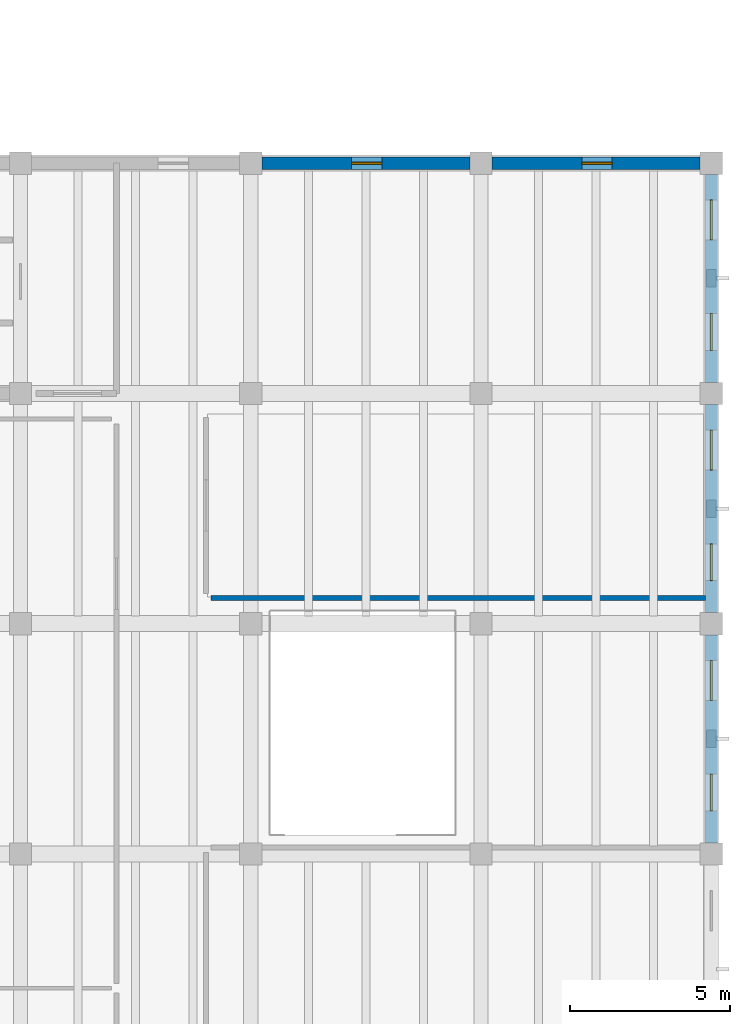
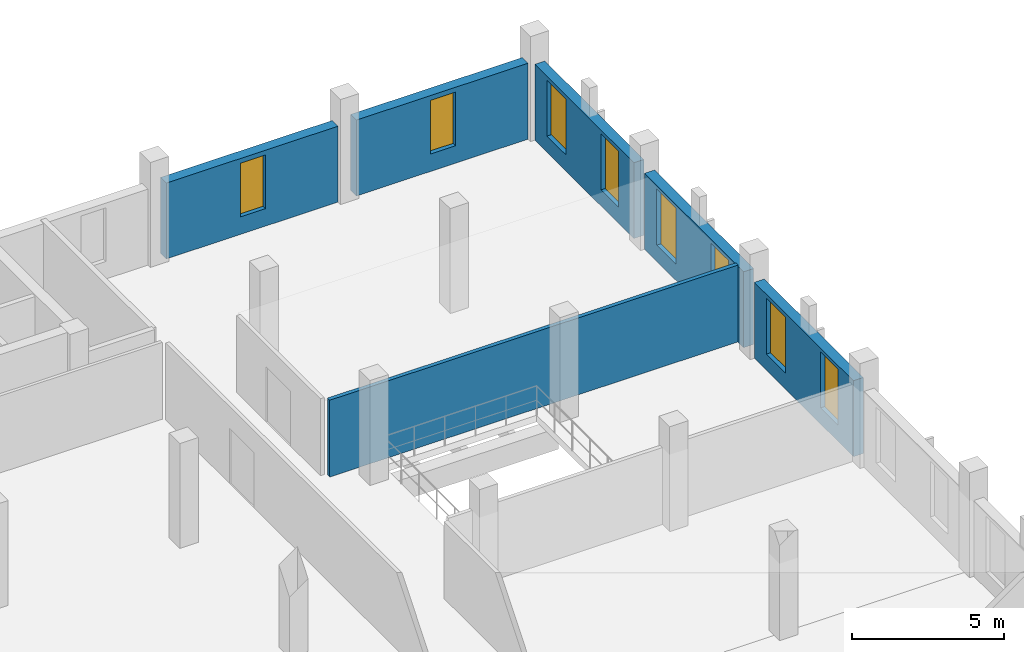
# One storey, part 65 of 72: 8 windows, 6 walls, 8 openings.
"""IFC4 building model written with IfcOpenShell, lengths in metres."""

import ifcopenshell
import ifcopenshell.guid

model = None  # the IFC model being written
_history = None  # IfcOwnerHistory: only IFC2X3 demands one
_inside = {}  # id of a spatial element -> (the spatial element, [elements in it])
_under = {}  # id of a project, library or spatial element -> (it, [spatial elements below it])
_declared = {}  # id of a project -> (the project, [libraries it declares])
_typed = {}  # id of a type object -> (the type object, [elements of that type])
_made_of = {}  # id of a material, layer set ... -> (it, [elements and type objects made of it])


def new_model(schema):
    """Start an empty IFC model of exactly this schema.

    Asked for "IFC4X3", IfcOpenShell would pick the latest addendum, in which some entities
    have other attributes; the version numbers below select the first issue.
    IFC2X3 requires an IfcOwnerHistory on every rooted entity: one is made here for all.
    """
    global model, _history
    if schema == "IFC4X3":
        model = ifcopenshell.file(schema_version=(4, 3, 0, 0))
    else:
        model = ifcopenshell.file(schema=schema)
    _inside.clear()
    _under.clear()
    _declared.clear()
    _typed.clear()
    _made_of.clear()
    _history = None
    if model.schema == "IFC2X3":
        org = make("IfcOrganization", Name="unknown")
        user = make(
            "IfcPersonAndOrganization",
            ThePerson=make("IfcPerson", FamilyName="unknown"),
            TheOrganization=org,
        )
        app = make(
            "IfcApplication",
            ApplicationDeveloper=org,
            Version="unknown",
            ApplicationFullName="unknown",
            ApplicationIdentifier="unknown",
        )
        _history = make(
            "IfcOwnerHistory",
            OwningUser=user,
            OwningApplication=app,
            ChangeAction="ADDED",
            CreationDate=0,
        )
    return model


def make(cls, **values):
    """One entity of the class cls with the attributes given. An attribute that is None is left unset."""
    return model.create_entity(
        cls, **{name: value for name, value in values.items() if value is not None}
    )


def rooted(cls, **values):
    """An entity with a GlobalId (a new one), such as an element, a storey or a relation."""
    return make(cls, GlobalId=ifcopenshell.guid.new(), OwnerHistory=_history, **values)


def si_unit(unit_type, name, prefix=None):
    """IfcSIUnit, for example si_unit("LENGTHUNIT", "METRE", prefix="MILLI")."""
    return make("IfcSIUnit", UnitType=unit_type, Prefix=prefix, Name=name)


def assignment(units):
    """IfcUnitAssignment: the units of a project."""
    return None if units is None else make("IfcUnitAssignment", Units=units)


def point(xyz):
    """IfcCartesianPoint."""
    return None if xyz is None else make("IfcCartesianPoint", Coordinates=xyz)


def direction(xyz):
    """IfcDirection."""
    return None if xyz is None else make("IfcDirection", DirectionRatios=xyz)


def frame(location, z_axis=None, x_axis=None):
    """IfcAxis2Placement3D, a coordinate frame: its origin and axes. An axis left out is left unset."""
    return make(
        "IfcAxis2Placement3D",
        Location=point(location),
        Axis=direction(z_axis),
        RefDirection=direction(x_axis),
    )


def frame_2d(location, x_axis=None):
    """IfcAxis2Placement2D, a coordinate frame in the plane: its origin and x axis."""
    return make(
        "IfcAxis2Placement2D", Location=point(location), RefDirection=direction(x_axis)
    )


def origin():
    """The frame at (0, 0, 0) with its axes left unset."""
    return frame((0.0, 0.0, 0.0))


def place(relative_to, where):
    """IfcLocalPlacement: puts the frame where relative to a parent placement (None: the world)."""
    return make(
        "IfcLocalPlacement", PlacementRelTo=relative_to, RelativePlacement=where
    )


def context(
    kind, dimensions, precision=None, world=None, true_north=None, identifier=None
):
    """IfcGeometricRepresentationContext, for example the 3D "Model" context."""
    return make(
        "IfcGeometricRepresentationContext",
        ContextIdentifier=identifier,
        ContextType=kind,
        CoordinateSpaceDimension=dimensions,
        Precision=precision,
        WorldCoordinateSystem=world,
        TrueNorth=true_north,
    )


def subcontext(parent, identifier, kind, view, scale=None):
    """IfcGeometricRepresentationSubContext, for example "Body" below "Model"."""
    return make(
        "IfcGeometricRepresentationSubContext",
        ContextIdentifier=identifier,
        ContextType=kind,
        ParentContext=parent,
        TargetScale=scale,
        TargetView=view,
    )


def project(units=None, contexts=None):
    """IfcProject with its units and contexts."""
    return rooted(
        "IfcProject",
        Name="project",
        RepresentationContexts=contexts,
        UnitsInContext=assignment(units),
    )


def spatial(cls, under=None, at=None, **own):
    """A site, building, storey or space (cls), placed at a placement, below another one or the project."""
    s = rooted(cls, ObjectPlacement=at, **own)
    if under is not None:
        _under.setdefault(under.id(), (under, []))[1].append(s)
    return s


def profile(cls, at=None, kind="AREA", **sizes):
    """A parametric profile (cls). Its sizes go by their IFC names, for example OverallWidth=200.0."""
    return make(cls, ProfileType=kind, Position=at, **sizes)


def rectangle(**sizes):
    """IfcRectangleProfileDef."""
    return profile("IfcRectangleProfileDef", **sizes)


def extrude(swept, where, along, depth):
    """IfcExtrudedAreaSolid: the profile swept, set in the frame where, extruded along a direction by depth."""
    return make(
        "IfcExtrudedAreaSolid",
        SweptArea=swept,
        Position=where,
        ExtrudedDirection=direction(along),
        Depth=depth,
    )


def shape(context_of_items, identifier, shape_type, items):
    """IfcShapeRepresentation: the items that make up one representation, for example the "Body"."""
    return make(
        "IfcShapeRepresentation",
        ContextOfItems=context_of_items,
        RepresentationIdentifier=identifier,
        RepresentationType=shape_type,
        Items=items,
    )


def material(Name=None, Category=None):
    """IfcMaterial."""
    return make("IfcMaterial", Name=Name, Category=Category)


def layer(
    of_material, thickness, ventilated=None, Name=None, Category=None, Priority=None
):
    """IfcMaterialLayer: one layer of a wall or slab, of a material (None: an air gap)."""
    return make(
        "IfcMaterialLayer",
        Material=of_material,
        LayerThickness=thickness,
        IsVentilated=ventilated,
        Name=Name,
        Category=Category,
        Priority=Priority,
    )


def layer_set(layers, Name=None):
    """IfcMaterialLayerSet."""
    return make("IfcMaterialLayerSet", MaterialLayers=layers, LayerSetName=Name)


def made_of(thing, what):
    """Note that an element or type object is made of a material, layer set ...; save() writes the relation."""
    if what is not None:
        _made_of.setdefault(what.id(), (what, []))[1].append(thing)
    return thing


def type_object(cls, material=None, **own):
    """A type object (cls), such as IfcWallType, which elements share."""
    return made_of(rooted(cls, **own), material)


def element(
    cls,
    number,
    at=None,
    inside=None,
    cuts=None,
    type_object=None,
    material=None,
    context=None,
    identifier="Body",
    shape_type=None,
    held_by="IfcProductDefinitionShape",
    body=None,
    shapes=None,
    **own,
):
    """One element of the class cls, such as IfcWall. Its Tag is "e" and its number.

    at: its placement. inside: the storey or other place that contains it. cuts: it is an
    opening in that element (IfcRelVoidsElement). A single representation is given by context,
    identifier, shape_type and body (its items); several are given by shapes. held_by: the class
    of the entity that holds the representations. save() writes the other relations.
    """
    e = rooted(cls, Tag="e%d" % number, ObjectPlacement=at, **own)
    if body is not None:
        shapes = [shape(context, identifier, shape_type, body)]
    if shapes is not None:
        e.Representation = make(held_by, Representations=shapes)
    if inside is not None:
        _inside.setdefault(inside.id(), (inside, []))[1].append(e)
    if cuts is not None:
        rooted(
            "IfcRelVoidsElement", RelatingBuildingElement=cuts, RelatedOpeningElement=e
        )
    if type_object is not None:
        _typed.setdefault(type_object.id(), (type_object, []))[1].append(e)
    return made_of(e, material)


def fill(opening, filler):
    """IfcRelFillsElement: the door or window that sits in an opening."""
    return rooted(
        "IfcRelFillsElement",
        RelatingOpeningElement=opening,
        RelatedBuildingElement=filler,
    )


def aggregate(whole, parts):
    """IfcRelAggregates: a whole, such as a stair, and the parts it consists of."""
    return rooted("IfcRelAggregates", RelatingObject=whole, RelatedObjects=parts)


def save(model, path):
    """Write the relations noted so far, then the file.

    IfcRelAggregates (storeys below a building ...), IfcRelContainedInSpatialStructure (elements
    in a storey), IfcRelDefinesByType, IfcRelAssociatesMaterial and IfcRelDeclares: one each for
    every whole, place, type object, material and project.
    """
    for whole, parts in _under.values():
        aggregate(whole, parts)
    for where, things in _inside.values():
        rooted(
            "IfcRelContainedInSpatialStructure",
            RelatedElements=things,
            RelatingStructure=where,
        )
    for kind, things in _typed.values():
        rooted("IfcRelDefinesByType", RelatedObjects=things, RelatingType=kind)
    for what, things in _made_of.values():
        rooted("IfcRelAssociatesMaterial", RelatedObjects=things, RelatingMaterial=what)
    for by, libraries in _declared.values():
        rooted("IfcRelDeclares", RelatingContext=by, RelatedDefinitions=libraries)
    model.write(path)


model = new_model("IFC4")

# Units and contexts
model_context = context("Model", 3, precision=1e-05, world=origin(), true_north=direction((0.0, 1.0)))
body_context = subcontext(model_context, "Body", "Model", "MODEL_VIEW")
ifc_project = project(units=[si_unit("LENGTHUNIT", "METRE"), si_unit("AREAUNIT", "SQUARE_METRE"), si_unit("VOLUMEUNIT", "CUBIC_METRE"), si_unit("PLANEANGLEUNIT", "RADIAN"), si_unit("MASSUNIT", "GRAM", prefix="KILO")], contexts=[model_context])

# Site, building, storey
site_placement = place(None, origin())
site = spatial("IfcSite", under=ifc_project, at=site_placement, CompositionType="ELEMENT")
building_placement = place(site_placement, origin())
building = spatial("IfcBuilding", under=site, at=building_placement, Name="Qiaolan Assembly House", CompositionType="ELEMENT")
storey_placement = place(building_placement, frame((0.0, 0.0, 10.199951171875)))
storey = spatial("IfcBuildingStorey", under=building, at=storey_placement, Name="L02", CompositionType="ELEMENT", Elevation=10.199951171875)

# Wall, openings, windows
ifc_material_1 = material(Name="Honed pale limestone", Category="masonry")
ifc_layer_1 = layer(ifc_material_1, 0.3798828125)
ifc_layer_set_1 = layer_set([ifc_layer_1], Name="Honed pale limestone")
wall_type_1 = type_object("IfcWallType", Name="WAL-EXT-LIB-380", PredefinedType="SOLIDWALL", material=ifc_layer_set_1)
wall_1_placement = place(storey_placement, frame((172.800048828125, 71.652099609375, 0.0), z_axis=(0.0, 0.0, 1.0), x_axis=(0.0, -1.0, 0.0)))
wall_1 = element("IfcWall", 1, at=wall_1_placement, inside=storey, type_object=wall_type_1, Name="Library East avenue wall L02-6", PredefinedType="SOLIDWALL", context=body_context, shape_type="SweptSolid", body=[
    extrude(rectangle(XDim=6.504150390625, YDim=0.3798828125, at=frame_2d((3.251953125, 0.0))), origin(), (0.0, 0.0, 1.0), 3.0400390625),
])
opening_1_placement = place(wall_1_placement, frame((0.802001953125, 0.0, 0.64990234375)))
opening_1 = element("IfcOpeningElement", 2, at=opening_1_placement, cuts=wall_1, Name="Opening WN-470", PredefinedType="OPENING", context=body_context, shape_type="SweptSolid", body=[
    extrude(rectangle(XDim=1.25, YDim=2.239990234375, at=frame_2d((0.625, 1.1201171875))), frame((0.0, 0.199951171875, 0.0), z_axis=(0.0, -1.0, 0.0), x_axis=(1.0, 0.0, 0.0)), (0.0, 0.0, 1.0), 0.39990234375),
])
opening_2_placement = place(wall_1_placement, frame((4.35205078125, 0.0, 0.64990234375)))
opening_2 = element("IfcOpeningElement", 3, at=opening_2_placement, cuts=wall_1, Name="Opening WN-471", PredefinedType="OPENING", context=body_context, shape_type="SweptSolid", body=[
    extrude(rectangle(XDim=1.14990234375, YDim=2.239990234375, at=frame_2d((0.574951171875, 1.1201171875))), frame((0.0, 0.199951171875, 0.0), z_axis=(0.0, -1.0, 0.0), x_axis=(1.0, 0.0, 0.0)), (0.0, 0.0, 1.0), 0.39990234375),
])
ifc_material_2 = material(Name="Low-E double insulating glass", Category="glass")
window_type_1 = type_object("IfcWindowType", Name="WIN-LIB-1250x2500", PartitioningType="DOUBLE_PANEL_VERTICAL", PredefinedType="WINDOW", material=ifc_material_2)
window_1_placement = place(opening_1_placement, origin())
window_1 = element("IfcWindow", 4, at=window_1_placement, inside=storey, type_object=window_type_1, Name="Library reading window WN-470", OverallHeight=2.239990234375, OverallWidth=1.25, PartitioningType="DOUBLE_PANEL_VERTICAL", PredefinedType="WINDOW", context=body_context, shape_type="SweptSolid", body=[
    extrude(rectangle(XDim=1.25, YDim=2.239990234375, at=frame_2d((0.625, 1.1201171875))), frame((0.0, 0.030029296875, 0.0), z_axis=(0.0, -1.0, 0.0), x_axis=(1.0, 0.0, 0.0)), (0.0, 0.0, 1.0), 0.06005859375),
])
fill(opening_1, window_1)
window_type_2 = type_object("IfcWindowType", Name="WIN-LIB-CARREL-1150x2300", PartitioningType="SINGLE_PANEL", PredefinedType="WINDOW", material=ifc_material_2)
window_2_placement = place(opening_2_placement, origin())
window_2 = element("IfcWindow", 5, at=window_2_placement, inside=storey, type_object=window_type_2, Name="Library reading window WN-471", OverallHeight=2.239990234375, OverallWidth=1.14990234375, PartitioningType="SINGLE_PANEL", PredefinedType="WINDOW", context=body_context, shape_type="SweptSolid", body=[
    extrude(rectangle(XDim=1.14990234375, YDim=2.239990234375, at=frame_2d((0.574951171875, 1.1201171875))), frame((0.0, 0.030029296875, 0.0), z_axis=(0.0, -1.0, 0.0), x_axis=(1.0, 0.0, 0.0)), (0.0, 0.0, 1.0), 0.06005859375),
])
fill(opening_2, window_2)

wall_2_placement = place(storey_placement, frame((172.800048828125, 78.85205078125, 0.0), z_axis=(0.0, 0.0, 1.0), x_axis=(0.0, -1.0, 0.0)))
wall_2 = element("IfcWall", 6, at=wall_2_placement, inside=storey, type_object=wall_type_1, Name="Library East avenue wall L02-7", PredefinedType="SOLIDWALL", context=body_context, shape_type="SweptSolid", body=[
    extrude(rectangle(XDim=6.504150390625, YDim=0.3798828125, at=frame_2d((3.251953125, 0.0))), origin(), (0.0, 0.0, 1.0), 3.0400390625),
])
opening_3_placement = place(wall_2_placement, frame((0.802001953125, 0.0, 0.64990234375)))
opening_3 = element("IfcOpeningElement", 7, at=opening_3_placement, cuts=wall_2, Name="Opening WN-473", PredefinedType="OPENING", context=body_context, shape_type="SweptSolid", body=[
    extrude(rectangle(XDim=1.25, YDim=2.239990234375, at=frame_2d((0.625, 1.1201171875))), frame((0.0, 0.199951171875, 0.0), z_axis=(0.0, -1.0, 0.0), x_axis=(1.0, 0.0, 0.0)), (0.0, 0.0, 1.0), 0.39990234375),
])
opening_4_placement = place(wall_2_placement, frame((4.35205078125, 0.0, 0.64990234375)))
opening_4 = element("IfcOpeningElement", 8, at=opening_4_placement, cuts=wall_2, Name="Opening WN-474", PredefinedType="OPENING", context=body_context, shape_type="SweptSolid", body=[
    extrude(rectangle(XDim=1.14990234375, YDim=2.239990234375, at=frame_2d((0.574951171875, 1.1201171875))), frame((0.0, 0.199951171875, 0.0), z_axis=(0.0, -1.0, 0.0), x_axis=(1.0, 0.0, 0.0)), (0.0, 0.0, 1.0), 0.39990234375),
])
window_3_placement = place(opening_3_placement, origin())
window_3 = element("IfcWindow", 9, at=window_3_placement, inside=storey, type_object=window_type_1, Name="Library reading window WN-473", OverallHeight=2.239990234375, OverallWidth=1.25, PartitioningType="DOUBLE_PANEL_VERTICAL", PredefinedType="WINDOW", context=body_context, shape_type="SweptSolid", body=[
    extrude(rectangle(XDim=1.25, YDim=2.239990234375, at=frame_2d((0.625, 1.1201171875))), frame((0.0, 0.030029296875, 0.0), z_axis=(0.0, -1.0, 0.0), x_axis=(1.0, 0.0, 0.0)), (0.0, 0.0, 1.0), 0.06005859375),
])
fill(opening_3, window_3)
window_4_placement = place(opening_4_placement, origin())
window_4 = element("IfcWindow", 10, at=window_4_placement, inside=storey, type_object=window_type_2, Name="Library reading window WN-474", OverallHeight=2.239990234375, OverallWidth=1.14990234375, PartitioningType="SINGLE_PANEL", PredefinedType="WINDOW", context=body_context, shape_type="SweptSolid", body=[
    extrude(rectangle(XDim=1.14990234375, YDim=2.239990234375, at=frame_2d((0.574951171875, 1.1201171875))), frame((0.0, 0.030029296875, 0.0), z_axis=(0.0, -1.0, 0.0), x_axis=(1.0, 0.0, 0.0)), (0.0, 0.0, 1.0), 0.06005859375),
])
fill(opening_4, window_4)

wall_3_placement = place(storey_placement, frame((172.800048828125, 86.052001953125, 0.0), z_axis=(0.0, 0.0, 1.0), x_axis=(0.0, -1.0, 0.0)))
wall_3 = element("IfcWall", 11, at=wall_3_placement, inside=storey, type_object=wall_type_1, Name="Library East avenue wall L02-8", PredefinedType="SOLIDWALL", context=body_context, shape_type="SweptSolid", body=[
    extrude(rectangle(XDim=6.50390625, YDim=0.3798828125, at=frame_2d((3.251953125, 0.0))), origin(), (0.0, 0.0, 1.0), 3.0400390625),
])
opening_5_placement = place(wall_3_placement, frame((0.802001953125, 0.0, 0.64990234375)))
opening_5 = element("IfcOpeningElement", 12, at=opening_5_placement, cuts=wall_3, Name="Opening WN-476", PredefinedType="OPENING", context=body_context, shape_type="SweptSolid", body=[
    extrude(rectangle(XDim=1.25, YDim=2.239990234375, at=frame_2d((0.625, 1.1201171875))), frame((0.0, 0.199951171875, 0.0), z_axis=(0.0, -1.0, 0.0), x_axis=(1.0, 0.0, 0.0)), (0.0, 0.0, 1.0), 0.39990234375),
])
opening_6_placement = place(wall_3_placement, frame((4.35205078125, 0.0, 0.64990234375)))
opening_6 = element("IfcOpeningElement", 13, at=opening_6_placement, cuts=wall_3, Name="Opening WN-477", PredefinedType="OPENING", context=body_context, shape_type="SweptSolid", body=[
    extrude(rectangle(XDim=1.14990234375, YDim=2.239990234375, at=frame_2d((0.574951171875, 1.1201171875))), frame((0.0, 0.199951171875, 0.0), z_axis=(0.0, -1.0, 0.0), x_axis=(1.0, 0.0, 0.0)), (0.0, 0.0, 1.0), 0.39990234375),
])
window_5_placement = place(opening_5_placement, origin())
window_5 = element("IfcWindow", 14, at=window_5_placement, inside=storey, type_object=window_type_1, Name="Library reading window WN-476", OverallHeight=2.239990234375, OverallWidth=1.25, PartitioningType="DOUBLE_PANEL_VERTICAL", PredefinedType="WINDOW", context=body_context, shape_type="SweptSolid", body=[
    extrude(rectangle(XDim=1.25, YDim=2.239990234375, at=frame_2d((0.625, 1.1201171875))), frame((0.0, 0.030029296875, 0.0), z_axis=(0.0, -1.0, 0.0), x_axis=(1.0, 0.0, 0.0)), (0.0, 0.0, 1.0), 0.06005859375),
])
fill(opening_5, window_5)
window_6_placement = place(opening_6_placement, origin())
window_6 = element("IfcWindow", 15, at=window_6_placement, inside=storey, type_object=window_type_2, Name="Library reading window WN-477", OverallHeight=2.239990234375, OverallWidth=1.14990234375, PartitioningType="SINGLE_PANEL", PredefinedType="WINDOW", context=body_context, shape_type="SweptSolid", body=[
    extrude(rectangle(XDim=1.14990234375, YDim=2.239990234375, at=frame_2d((0.574951171875, 1.1201171875))), frame((0.0, 0.030029296875, 0.0), z_axis=(0.0, -1.0, 0.0), x_axis=(1.0, 0.0, 0.0)), (0.0, 0.0, 1.0), 0.06005859375),
])
fill(opening_6, window_6)

# Wall, opening, window
wall_4_placement = place(storey_placement, frame((165.251953125, 86.39990234375, 0.0), z_axis=(0.0, 0.0, 1.0), x_axis=(-1.0, 0.0, 0.0)))
wall_4 = element("IfcWall", 16, at=wall_4_placement, inside=storey, type_object=wall_type_1, Name="Library North wall L02-4", PredefinedType="SOLIDWALL", context=body_context, shape_type="SweptSolid", body=[
    extrude(rectangle(XDim=6.50390625, YDim=0.3798828125, at=frame_2d((3.251953125, 0.0))), origin(), (0.0, 0.0, 1.0), 3.0400390625),
])
opening_7_placement = place(wall_4_placement, frame((2.751953125, 0.0, 0.699951171875)))
opening_7 = element("IfcOpeningElement", 17, at=opening_7_placement, cuts=wall_4, Name="Opening WN-483", PredefinedType="OPENING", context=body_context, shape_type="SweptSolid", body=[
    extrude(rectangle(XDim=0.949951171875, YDim=2.14990234375, at=frame_2d((0.47509765625, 1.074951171875))), frame((0.0, 0.199951171875, 0.0), z_axis=(0.0, -1.0, 0.0), x_axis=(1.0, 0.0, 0.0)), (0.0, 0.0, 1.0), 0.39990234375),
])
window_type_3 = type_object("IfcWindowType", Name="WIN-PUNCH-950x2150", PartitioningType="SINGLE_PANEL", PredefinedType="WINDOW", material=ifc_material_2)
window_7_placement = place(opening_7_placement, origin())
window_7 = element("IfcWindow", 18, at=window_7_placement, inside=storey, type_object=window_type_3, Name="Library North window WN-483", OverallHeight=2.14990234375, OverallWidth=0.949951171875, PartitioningType="SINGLE_PANEL", PredefinedType="WINDOW", context=body_context, shape_type="SweptSolid", body=[
    extrude(rectangle(XDim=0.949951171875, YDim=2.14990234375, at=frame_2d((0.47509765625, 1.074951171875))), frame((0.0, 0.030029296875, 0.0), z_axis=(0.0, -1.0, 0.0), x_axis=(1.0, 0.0, 0.0)), (0.0, 0.0, 1.0), 0.06005859375),
])
fill(opening_7, window_7)

wall_5_placement = place(storey_placement, frame((172.451904296875, 86.39990234375, 0.0), z_axis=(0.0, 0.0, 1.0), x_axis=(-1.0, 0.0, 0.0)))
wall_5 = element("IfcWall", 19, at=wall_5_placement, inside=storey, type_object=wall_type_1, Name="Library North wall L02-5", PredefinedType="SOLIDWALL", context=body_context, shape_type="SweptSolid", body=[
    extrude(rectangle(XDim=6.50390625, YDim=0.3798828125, at=frame_2d((3.251953125, 0.0))), origin(), (0.0, 0.0, 1.0), 3.0400390625),
])
opening_8_placement = place(wall_5_placement, frame((2.751953125, 0.0, 0.699951171875)))
opening_8 = element("IfcOpeningElement", 20, at=opening_8_placement, cuts=wall_5, Name="Opening WN-485", PredefinedType="OPENING", context=body_context, shape_type="SweptSolid", body=[
    extrude(rectangle(XDim=0.949951171875, YDim=2.14990234375, at=frame_2d((0.47509765625, 1.074951171875))), frame((0.0, 0.199951171875, 0.0), z_axis=(0.0, -1.0, 0.0), x_axis=(1.0, 0.0, 0.0)), (0.0, 0.0, 1.0), 0.39990234375),
])
window_8_placement = place(opening_8_placement, origin())
window_8 = element("IfcWindow", 21, at=window_8_placement, inside=storey, type_object=window_type_3, Name="Library North window WN-485", OverallHeight=2.14990234375, OverallWidth=0.949951171875, PartitioningType="SINGLE_PANEL", PredefinedType="WINDOW", context=body_context, shape_type="SweptSolid", body=[
    extrude(rectangle(XDim=0.949951171875, YDim=2.14990234375, at=frame_2d((0.47509765625, 1.074951171875))), frame((0.0, 0.030029296875, 0.0), z_axis=(0.0, -1.0, 0.0), x_axis=(1.0, 0.0, 0.0)), (0.0, 0.0, 1.0), 0.06005859375),
])
fill(opening_8, window_8)

# Wall
ifc_material_3 = material(Name="Gypsum plasterboard partition")
ifc_layer_2 = layer(ifc_material_3, 0.14990234375)
ifc_layer_set_2 = layer_set([ifc_layer_2], Name="Gypsum plasterboard partition")
wall_type_2 = type_object("IfcWallType", Name="WAL-PART-150", PredefinedType="PARTITIONING", material=ifc_layer_set_2)
wall_6_placement = place(storey_placement, frame((157.14990234375, 72.800048828125, 0.0), z_axis=(0.0, 0.0, 1.0), x_axis=(1.0, 0.0, 0.0)))
element("IfcWall", 22, at=wall_6_placement, inside=storey, type_object=wall_type_2, Name="Reading well north wall", PredefinedType="PARTITIONING", context=body_context, shape_type="SweptSolid", body=[
    extrude(rectangle(XDim=15.47021484375, YDim=0.14990234375, at=frame_2d((7.735107421875, 0.0))), origin(), (0.0, 0.0, 1.0), 3.080078125),
])

save(model, "model.ifc")
